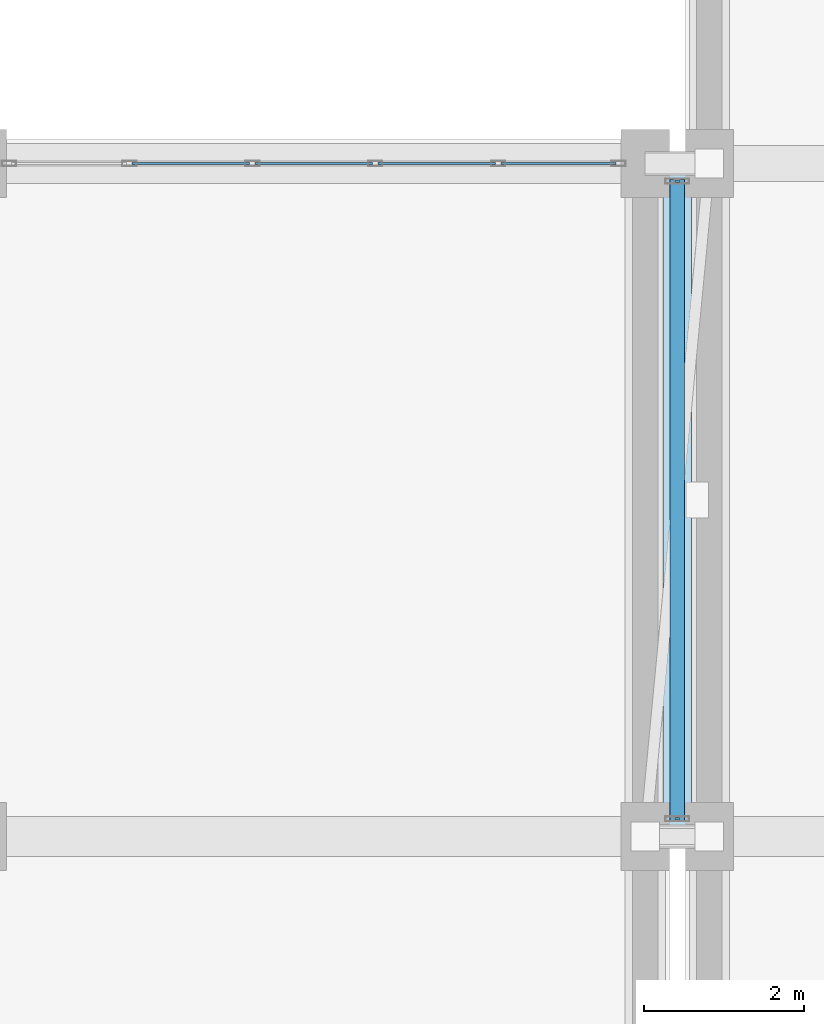
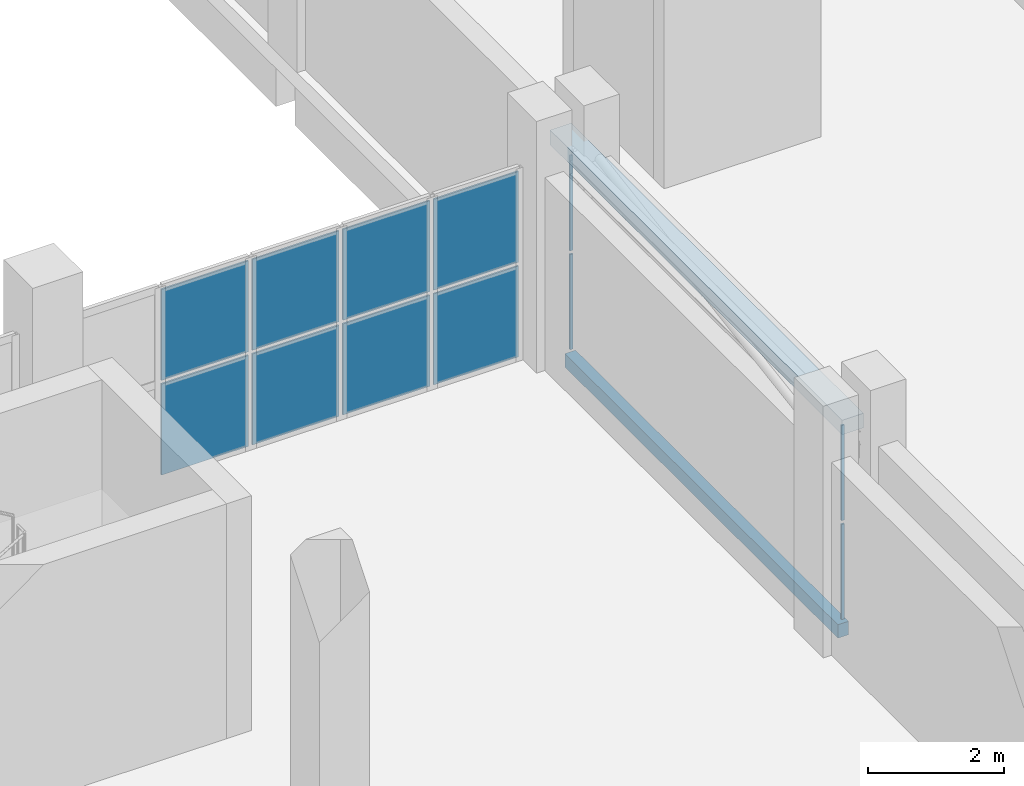
# One storey, part 106 of 137: 12 plates, 2 slabs, 3 elements without a shape of their own.
"""IFC4 building model written with IfcOpenShell, lengths in metres."""

from ifc_helpers import new_model, si_unit, direction, frame, origin, origin_2d, place, context, subcontext, project, spatial, polyline, rectangle, outline, extrude, material, layer, layer_set, type_object, element, aggregate, save


model = new_model("IFC4")

# Units and contexts
model_context = context("Model", 3, precision=1e-05, world=origin(), true_north=direction((0.0, 1.0)))
body_context = subcontext(model_context, "Body", "Model", "MODEL_VIEW")
ifc_project = project(units=[si_unit("LENGTHUNIT", "METRE"), si_unit("AREAUNIT", "SQUARE_METRE"), si_unit("VOLUMEUNIT", "CUBIC_METRE"), si_unit("PLANEANGLEUNIT", "RADIAN"), si_unit("MASSUNIT", "GRAM", prefix="KILO")], contexts=[model_context])

# Site, building, storey
site_placement = place(None, origin())
site = spatial("IfcSite", under=ifc_project, at=site_placement, CompositionType="ELEMENT")
building_placement = place(site_placement, origin())
building = spatial("IfcBuilding", under=site, at=building_placement, Name="Xazarin Passage Department Store", CompositionType="ELEMENT")
storey_placement = place(building_placement, frame((0.0, 0.0, 5.39990234375)))
storey = spatial("IfcBuildingStorey", under=building, at=storey_placement, Name="L01", CompositionType="ELEMENT", Elevation=5.39990234375)

# Curtain wall, plates
ifc_material_1 = material(Name="Bronze anodised aluminium", Category="aluminium")
ifc_layer_1 = layer(ifc_material_1, 0.169921875)
ifc_layer_set_1 = layer_set([ifc_layer_1], Name="Bronze anodised aluminium")
curtain_wall_type_1 = type_object("IfcCurtainWallType", Name="ARC-CW-ARC2", PredefinedType="NOTDEFINED", material=ifc_layer_set_1)
curtain_wall_1_placement = place(storey_placement, origin())
curtain_wall_1 = element("IfcCurtainWall", 1, at=curtain_wall_1_placement, inside=storey, type_object=curtain_wall_type_1, Name="L01 V2N Curtain Wall 113", PredefinedType="NOTDEFINED")
ifc_material_2 = material(Name="Low-E laminated safety glass", Category="glass")
ifc_layer_2 = layer(ifc_material_2, 0.028076171875)
ifc_layer_set_2 = layer_set([ifc_layer_2], Name="Low-E laminated safety glass")
plate_type = type_object("IfcPlateType", Name="ARC-CWP-GLZ28", PredefinedType="CURTAIN_PANEL", material=ifc_layer_set_2)
plate_1_placement = place(storey_placement, frame((95.927490234375, 93.199951171875, 0.065185546875), z_axis=(0.0, 0.0, 1.0), x_axis=(1.0, 0.0, 0.0)))
plate_1 = element("IfcPlate", 2, at=plate_1_placement, type_object=plate_type, Name="CW4 panel 2.1", PredefinedType="CURTAIN_PANEL", context=body_context, shape_type="SweptSolid", body=[
    extrude(rectangle(XDim=1.469970703125, YDim=0.028076171875, at=origin_2d()), origin(), (0.0, 0.0, 1.0), 1.62744140625),
])
plate_2_placement = place(storey_placement, frame((95.927490234375, 93.199951171875, 1.757568359375), z_axis=(0.0, 0.0, 1.0), x_axis=(1.0, 0.0, 0.0)))
plate_2 = element("IfcPlate", 3, at=plate_2_placement, type_object=plate_type, Name="CW4 panel 2.2", PredefinedType="CURTAIN_PANEL", context=body_context, shape_type="SweptSolid", body=[
    extrude(rectangle(XDim=1.469970703125, YDim=0.028076171875, at=origin_2d()), origin(), (0.0, 0.0, 1.0), 1.62744140625),
])
plate_3_placement = place(storey_placement, frame((97.46240234375, 93.199951171875, 0.065185546875), z_axis=(0.0, 0.0, 1.0), x_axis=(1.0, 0.0, 0.0)))
plate_3 = element("IfcPlate", 4, at=plate_3_placement, type_object=plate_type, Name="CW4 panel 3.1", PredefinedType="CURTAIN_PANEL", context=body_context, shape_type="SweptSolid", body=[
    extrude(rectangle(XDim=1.469970703125, YDim=0.028076171875, at=origin_2d()), origin(), (0.0, 0.0, 1.0), 1.62744140625),
])
plate_4_placement = place(storey_placement, frame((97.46240234375, 93.199951171875, 1.757568359375), z_axis=(0.0, 0.0, 1.0), x_axis=(1.0, 0.0, 0.0)))
plate_4 = element("IfcPlate", 5, at=plate_4_placement, type_object=plate_type, Name="CW4 panel 3.2", PredefinedType="CURTAIN_PANEL", context=body_context, shape_type="SweptSolid", body=[
    extrude(rectangle(XDim=1.469970703125, YDim=0.028076171875, at=origin_2d()), origin(), (0.0, 0.0, 1.0), 1.62744140625),
])
plate_5_placement = place(storey_placement, frame((98.99755859375, 93.199951171875, 0.065185546875), z_axis=(0.0, 0.0, 1.0), x_axis=(1.0, 0.0, 0.0)))
plate_5 = element("IfcPlate", 6, at=plate_5_placement, type_object=plate_type, Name="CW4 panel 4.1", PredefinedType="CURTAIN_PANEL", context=body_context, shape_type="SweptSolid", body=[
    extrude(rectangle(XDim=1.469970703125, YDim=0.028076171875, at=origin_2d()), origin(), (0.0, 0.0, 1.0), 1.62744140625),
])
plate_6_placement = place(storey_placement, frame((98.99755859375, 93.199951171875, 1.757568359375), z_axis=(0.0, 0.0, 1.0), x_axis=(1.0, 0.0, 0.0)))
plate_6 = element("IfcPlate", 7, at=plate_6_placement, type_object=plate_type, Name="CW4 panel 4.2", PredefinedType="CURTAIN_PANEL", context=body_context, shape_type="SweptSolid", body=[
    extrude(rectangle(XDim=1.469970703125, YDim=0.028076171875, at=origin_2d()), origin(), (0.0, 0.0, 1.0), 1.62744140625),
])
plate_7_placement = place(storey_placement, frame((100.516357421875, 93.199951171875, 0.065185546875), z_axis=(0.0, 0.0, 1.0), x_axis=(1.0, 0.0, 0.0)))
plate_7 = element("IfcPlate", 8, at=plate_7_placement, type_object=plate_type, Name="CW4 panel 5.1", PredefinedType="CURTAIN_PANEL", context=body_context, shape_type="SweptSolid", body=[
    extrude(rectangle(XDim=1.4375, YDim=0.028076171875, at=origin_2d()), origin(), (0.0, 0.0, 1.0), 1.62744140625),
])
plate_8_placement = place(storey_placement, frame((100.516357421875, 93.199951171875, 1.757568359375), z_axis=(0.0, 0.0, 1.0), x_axis=(1.0, 0.0, 0.0)))
plate_8 = element("IfcPlate", 9, at=plate_8_placement, type_object=plate_type, Name="CW4 panel 5.2", PredefinedType="CURTAIN_PANEL", context=body_context, shape_type="SweptSolid", body=[
    extrude(rectangle(XDim=1.4375, YDim=0.028076171875, at=origin_2d()), origin(), (0.0, 0.0, 1.0), 1.62744140625),
])
aggregate(curtain_wall_1, [plate_1, plate_2, plate_3, plate_4, plate_5, plate_6, plate_7, plate_8])

ifc_layer_3 = layer(ifc_material_1, 0.14990234375)
ifc_layer_set_3 = layer_set([ifc_layer_3], Name="Bronze anodised aluminium")
curtain_wall_type_2 = type_object("IfcCurtainWallType", Name="ARC-CW-BRG1", PredefinedType="NOTDEFINED", material=ifc_layer_set_3)
curtain_wall_2_placement = place(storey_placement, origin())
curtain_wall_2 = element("IfcCurtainWall", 10, at=curtain_wall_2_placement, inside=storey, type_object=curtain_wall_type_2, Name="L01 BR-V2N-V4 Bridge Curtain Wall 1", PredefinedType="NOTDEFINED")
plate_9_placement = place(storey_placement, frame((102.0, 85.02001953125, 0.06494140625), z_axis=(0.0, 0.0, 1.0), x_axis=(1.0, 0.0, 0.0)))
plate_9 = element("IfcPlate", 11, at=plate_9_placement, type_object=plate_type, Name="CW7 panel 1.1", PredefinedType="CURTAIN_PANEL", context=body_context, shape_type="SweptSolid", body=[
    extrude(rectangle(XDim=0.050048828125, YDim=0.028076171875, at=origin_2d()), origin(), (0.0, 0.0, 1.0), 1.702392578125),
])
plate_10_placement = place(storey_placement, frame((102.0, 85.02001953125, 1.83251953125), z_axis=(0.0, 0.0, 1.0), x_axis=(1.0, 0.0, 0.0)))
plate_10 = element("IfcPlate", 12, at=plate_10_placement, type_object=plate_type, Name="CW7 panel 1.2", PredefinedType="CURTAIN_PANEL", context=body_context, shape_type="SweptSolid", body=[
    extrude(rectangle(XDim=0.050048828125, YDim=0.028076171875, at=origin_2d()), origin(), (0.0, 0.0, 1.0), 1.702392578125),
])
aggregate(curtain_wall_2, [plate_9, plate_10])

curtain_wall_3_placement = place(storey_placement, origin())
curtain_wall_3 = element("IfcCurtainWall", 13, at=curtain_wall_3_placement, inside=storey, type_object=curtain_wall_type_2, Name="L01 BR-V2N-V4 Bridge Curtain Wall 2", PredefinedType="NOTDEFINED")
plate_11_placement = place(storey_placement, frame((102.0, 92.97998046875, 0.06494140625), z_axis=(0.0, 0.0, 1.0), x_axis=(1.0, 0.0, 0.0)))
plate_11 = element("IfcPlate", 14, at=plate_11_placement, type_object=plate_type, Name="CW7 panel 1.1", PredefinedType="CURTAIN_PANEL", context=body_context, shape_type="SweptSolid", body=[
    extrude(rectangle(XDim=0.050048828125, YDim=0.028076171875, at=origin_2d()), origin(), (0.0, 0.0, 1.0), 1.702392578125),
])
plate_12_placement = place(storey_placement, frame((102.0, 92.97998046875, 1.83251953125), z_axis=(0.0, 0.0, 1.0), x_axis=(1.0, 0.0, 0.0)))
plate_12 = element("IfcPlate", 15, at=plate_12_placement, type_object=plate_type, Name="CW7 panel 1.2", PredefinedType="CURTAIN_PANEL", context=body_context, shape_type="SweptSolid", body=[
    extrude(rectangle(XDim=0.050048828125, YDim=0.028076171875, at=origin_2d()), origin(), (0.0, 0.0, 1.0), 1.702392578125),
])
aggregate(curtain_wall_3, [plate_11, plate_12])

# Slabs
ifc_material_3 = material(Name="Concrete C35/45", Category="concrete")
ifc_layer_4 = layer(ifc_material_3, 0.239990234375)
ifc_layer_set_4 = layer_set([ifc_layer_4], Name="Concrete C35/45")
slab_type_1 = type_object("IfcSlabType", Name="STR-SLB-BRG240", PredefinedType="FLOOR", material=ifc_layer_set_4)
slab_1_placement = place(storey_placement, frame((0.0, 0.0, -0.239990234375)))
element("IfcSlab", 16, at=slab_1_placement, inside=storey, type_object=slab_type_1, Name="L01 BR-V2N-V4 Bridge Floor Deck", PredefinedType="FLOOR", context=body_context, shape_type="SweptSolid", body=[
    extrude(outline(polyline([(101.909912109375, 85.0), (102.090087890625, 85.0), (102.090087890625, 93.0), (101.909912109375, 93.0), (101.909912109375, 85.0)])), origin(), (0.0, 0.0, 1.0), 0.239990234375),
])
ifc_layer_5 = layer(ifc_material_3, 0.260009765625)
ifc_layer_set_5 = layer_set([ifc_layer_5], Name="Concrete C35/45")
slab_type_2 = type_object("IfcSlabType", Name="STR-SLB-RF260", PredefinedType="ROOF", material=ifc_layer_set_5)
slab_2_placement = place(storey_placement, frame((0.0, 0.0, 3.60009765625)))
element("IfcSlab", 17, at=slab_2_placement, inside=storey, type_object=slab_type_2, Name="L01 BR-V2N-V4 Bridge Roof Deck", PredefinedType="ROOF", context=body_context, shape_type="SweptSolid", body=[
    extrude(outline(polyline([(101.820068359375, 84.719970703125), (102.179931640625, 84.719970703125), (102.179931640625, 93.280029296875), (101.820068359375, 93.280029296875), (101.820068359375, 84.719970703125)])), origin(), (0.0, 0.0, 1.0), 0.260009765625),
])

save(model, "model.ifc")
